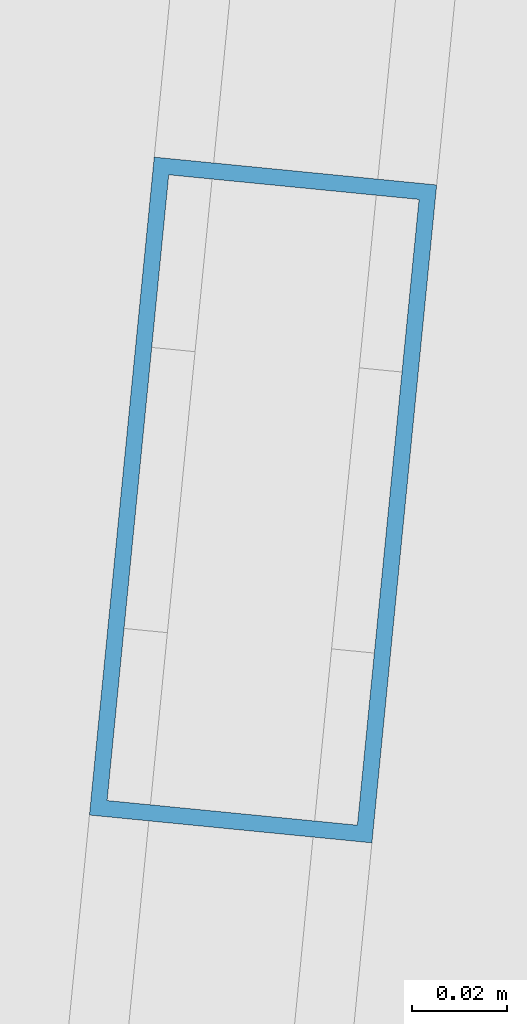
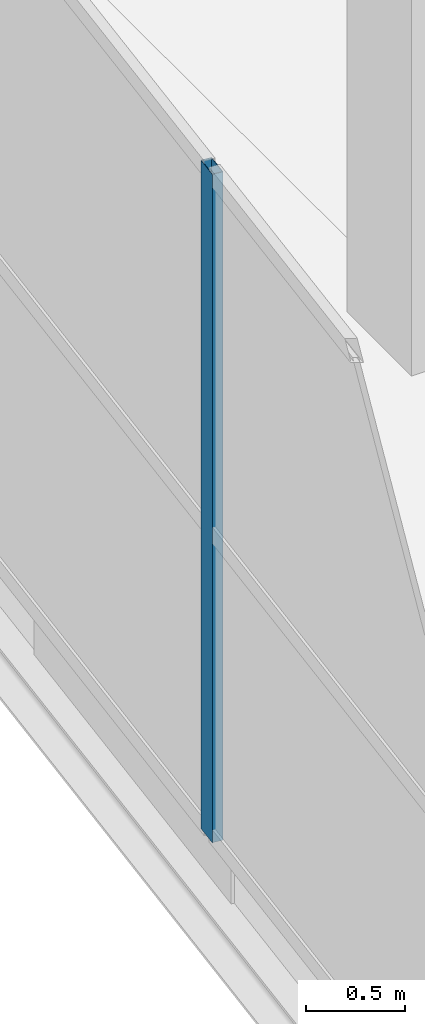
# One storey, part 20 of 58: 1 member, 1 element without a shape of its own.
"""IFC4 building model written with IfcOpenShell, lengths in metres."""

from ifc_helpers import new_model, si_unit, direction, frame, origin, origin_2d, place, context, subcontext, project, spatial, hollow_rectangle, extrude, material, layer, layer_set, material_profile, profile_set, type_object, element, aggregate, save


model = new_model("IFC4")

# Units and contexts
model_context = context("Model", 3, precision=1e-05, world=origin(), true_north=direction((0.0, 1.0)))
body_context = subcontext(model_context, "Body", "Model", "MODEL_VIEW")
ifc_project = project(units=[si_unit("LENGTHUNIT", "METRE"), si_unit("AREAUNIT", "SQUARE_METRE"), si_unit("VOLUMEUNIT", "CUBIC_METRE"), si_unit("PLANEANGLEUNIT", "RADIAN"), si_unit("MASSUNIT", "GRAM", prefix="KILO")], contexts=[model_context])

# Site, building, storey
site_placement = place(None, origin())
site = spatial("IfcSite", under=ifc_project, at=site_placement, CompositionType="ELEMENT")
building_placement = place(site_placement, origin())
building = spatial("IfcBuilding", under=site, at=building_placement, Name="Sillaruma Civic Art Gallery", CompositionType="ELEMENT")
storey_placement = place(building_placement, frame((0.0, 0.0, 52.02001953125)))
storey = spatial("IfcBuildingStorey", under=building, at=storey_placement, Name="L10", CompositionType="ELEMENT", Elevation=52.02001953125)

# Curtain wall, member
ifc_material = material(Name="Thermally Broken Extruded Aluminium 6063-T6", Category="aluminium")
ifc_layer = layer(ifc_material, 0.139892578125, Name="Thermally Broken Extruded Aluminium 6063-T6")
ifc_layer_set = layer_set([ifc_layer], Name="Thermally Broken Extruded Aluminium 6063-T6")
curtain_wall_type = type_object("IfcCurtainWallType", Name="CW-UNI-84", PredefinedType="NOTDEFINED", material=ifc_layer_set)
curtain_wall_placement = place(storey_placement, origin())
curtain_wall = element("IfcCurtainWall", 1, at=curtain_wall_placement, inside=storey, type_object=curtain_wall_type, Name="Unitised Curtain Wall CW-84 (CW-PRW-L10-W-ANG)", PredefinedType="NOTDEFINED")
ifc_material_profile = material_profile(ifc_material, hollow_rectangle(XDim=0.06005859375, YDim=0.139892578125, WallThickness=0.00341796875, at=origin_2d()), Name="CWM60x140")
ifc_profile_set = profile_set([ifc_material_profile], Name="Thermally Broken Extruded Aluminium 6063-T6")
member_type = type_object("IfcMemberType", Name="MEM-MUL-CWM60x140", PredefinedType="MULLION", material=ifc_profile_set)
member_placement = place(storey_placement, frame((58.800048828125, 66.0, 0.0), z_axis=(0.0, 0.0, 1.0), x_axis=(0.99518536297, -0.098010679679, 0.0)))
member = element("IfcMember", 2, at=member_placement, type_object=member_type, Name="CW-84 mullion 3", PredefinedType="MULLION", context=body_context, shape_type="SweptSolid", body=[
    extrude(hollow_rectangle(XDim=0.06005859375, YDim=0.139892578125, WallThickness=0.00341796875, at=origin_2d()), origin(), (0.0, 0.0, 1.0), 4.10009765625),
])
aggregate(curtain_wall, [member])

save(model, "model.ifc")
